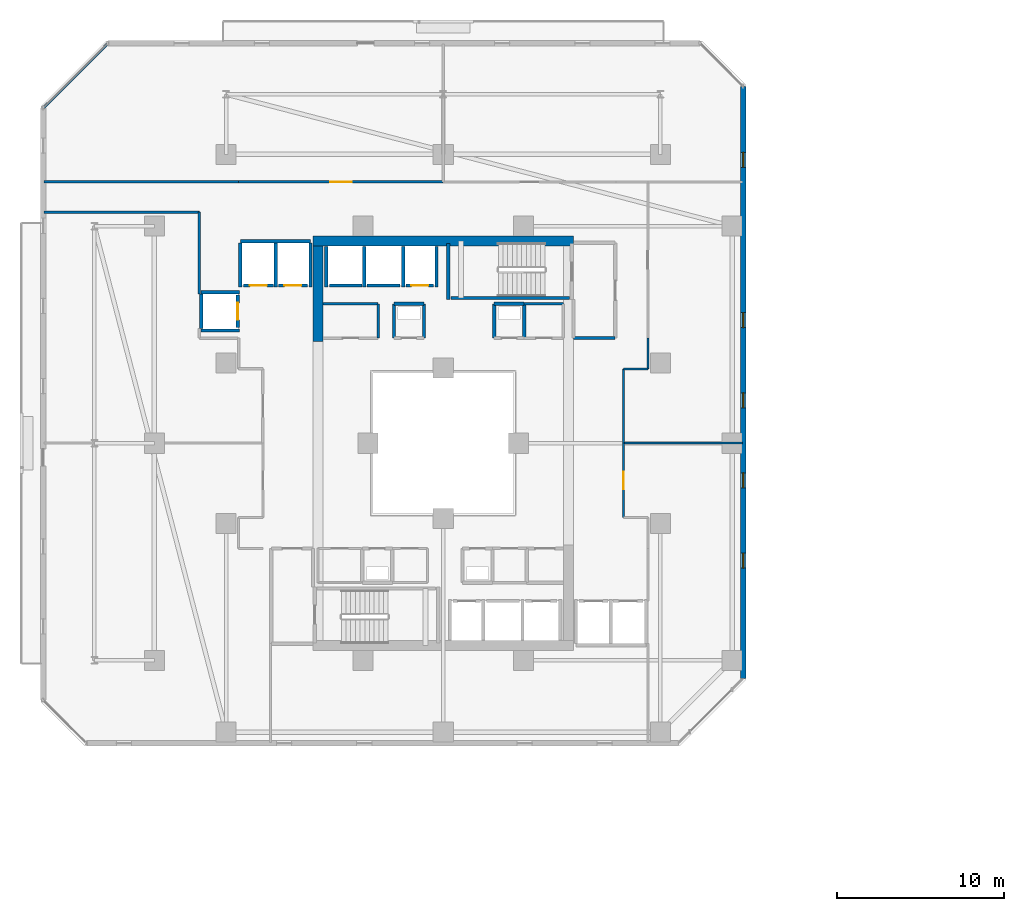
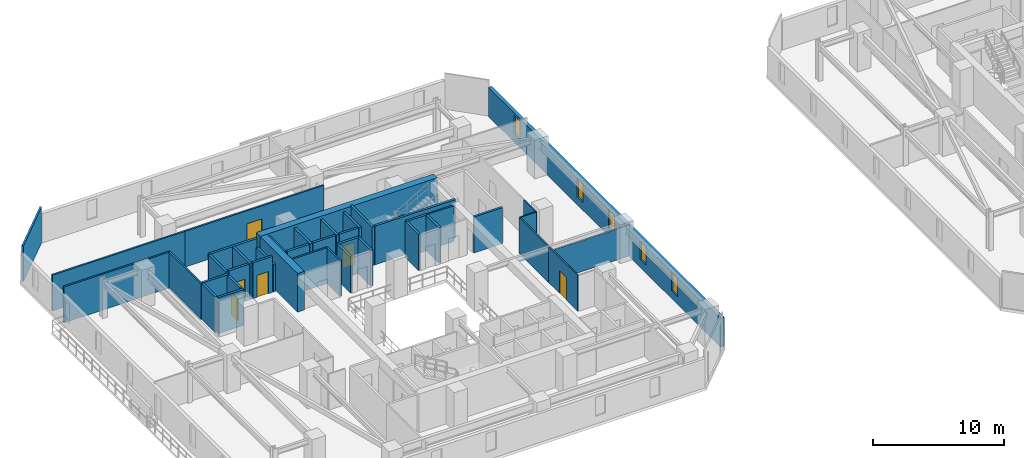
# One storey, part 21 of 33: 42 walls, 6 doors, 5 windows, 11 openings.
"""IFC4 building model written with IfcOpenShell, lengths in metres."""

from ifc_helpers import new_model, si_unit, direction, frame, frame_2d, origin, place, context, subcontext, project, spatial, rectangle, extrude, material, layer, layer_set, type_object, element, fill, save


model = new_model("IFC4")

# Units and contexts
model_context = context("Model", 3, precision=1e-05, world=origin(), true_north=direction((0.0, 1.0)))
body_context = subcontext(model_context, "Body", "Model", "MODEL_VIEW")
ifc_project = project(units=[si_unit("LENGTHUNIT", "METRE"), si_unit("AREAUNIT", "SQUARE_METRE"), si_unit("VOLUMEUNIT", "CUBIC_METRE"), si_unit("PLANEANGLEUNIT", "RADIAN"), si_unit("MASSUNIT", "GRAM", prefix="KILO")], contexts=[model_context])

# Site, building, storey
site_placement = place(None, origin())
site = spatial("IfcSite", under=ifc_project, at=site_placement, CompositionType="ELEMENT")
building_placement = place(site_placement, origin())
building = spatial("IfcBuilding", under=site, at=building_placement, Name="Thornwick Lancets Civic Towers", CompositionType="ELEMENT")
storey_placement = place(building_placement, frame((0.0, 0.0, 101.699951171875)))
storey = spatial("IfcBuildingStorey", under=building, at=storey_placement, Name="L26", CompositionType="ELEMENT", Elevation=101.699951171875)

# Wall, opening, door
ifc_material_1 = material(Name="Concrete blockwork C40/50", Category="masonry")
ifc_layer_1 = layer(ifc_material_1, 0.199951171875, Name="Concrete blockwork C40/50")
ifc_layer_set_1 = layer_set([ifc_layer_1], Name="Concrete blockwork C40/50")
wall_type_1 = type_object("IfcWallType", Name="WALL_COMP_200", PredefinedType="STANDARD", material=ifc_layer_set_1)
wall_1_placement = place(storey_placement, frame((24.919921875, 36.449951171875, 0.0), z_axis=(0.0, 0.0, 1.0), x_axis=(-1.0, 0.0, 0.0)))
wall_1 = element("IfcWall", 1, at=wall_1_placement, inside=storey, type_object=wall_type_1, Name="L26 Hoistway Front Wall FL-A2", PredefinedType="STANDARD", context=body_context, shape_type="SweptSolid", body=[
    extrude(rectangle(XDim=1.639892578125, YDim=0.199951171875, at=frame_2d((0.81982421875, 0.0))), origin(), (0.0, 0.0, 1.0), 3.340087890625),
])
opening_1_placement = place(wall_1_placement, frame((0.31005859375, 0.0, 0.0)))
opening_1 = element("IfcOpeningElement", 2, at=opening_1_placement, cuts=wall_1, Name="Opening LD-FL-A2", PredefinedType="OPENING", context=body_context, shape_type="SweptSolid", body=[
    extrude(rectangle(XDim=1.02001953125, YDim=2.06005859375, at=frame_2d((0.510009765625, 1.030029296875))), frame((0.0, 0.10986328125, 0.0), z_axis=(0.0, -1.0, 0.0), x_axis=(1.0, 0.0, 0.0)), (0.0, 0.0, 1.0), 0.219970703125),
])
ifc_material_2 = material(Name="Brushed bronze stainless steel", Category="steel")
door_type_1 = type_object("IfcDoorType", Name="DOOR_LIFT_SLIDE", OperationType="SLIDING_TO_LEFT", PredefinedType="DOOR", material=ifc_material_2)
door_1_placement = place(opening_1_placement, origin())
door_1 = element("IfcDoor", 3, at=door_1_placement, inside=storey, type_object=door_type_1, Name="L26 Sliding Lift Landing Door LD-FL-A2", OperationType="SLIDING_TO_LEFT", OverallHeight=2.06005859375, OverallWidth=1.02001953125, PredefinedType="DOOR", context=body_context, shape_type="SweptSolid", body=[
    extrude(rectangle(XDim=1.02001953125, YDim=2.06005859375, at=frame_2d((0.510009765625, 1.030029296875))), frame((0.0, 0.02490234375, 0.0), z_axis=(0.0, -1.0, 0.0), x_axis=(1.0, 0.0, 0.0)), (0.0, 0.0, 1.0), 0.050048828125),
])
fill(opening_1, door_1)

# Walls
wall_2_placement = place(storey_placement, frame((22.919921875, 36.449951171875, 0.0), z_axis=(0.0, 0.0, 1.0), x_axis=(-1.0, 0.0, 0.0)))
element("IfcWall", 4, at=wall_2_placement, inside=storey, type_object=wall_type_1, Name="L26 Hoistway Front Wall PL-AH2", PredefinedType="STANDARD", context=body_context, shape_type="SweptSolid", body=[
    extrude(rectangle(XDim=1.989990234375, YDim=0.199951171875, at=frame_2d((0.9951171875, 0.0))), origin(), (0.0, 0.0, 1.0), 3.340087890625),
])
wall_3_placement = place(storey_placement, frame((20.6201171875, 36.449951171875, 0.0), z_axis=(0.0, 0.0, 1.0), x_axis=(-1.0, 0.0, 0.0)))
element("IfcWall", 5, at=wall_3_placement, inside=storey, type_object=wall_type_1, Name="L26 Hoistway Front Wall PL-AH3", PredefinedType="STANDARD", context=body_context, shape_type="SweptSolid", body=[
    extrude(rectangle(XDim=1.940185546875, YDim=0.199951171875, at=frame_2d((0.97021484375, 0.0))), origin(), (0.0, 0.0, 1.0), 3.340087890625),
])

# Wall, opening, door
wall_4_placement = place(storey_placement, frame((17.3701171875, 36.449951171875, 0.0), z_axis=(0.0, 0.0, 1.0), x_axis=(-1.0, 0.0, 0.0)))
wall_4 = element("IfcWall", 6, at=wall_4_placement, inside=storey, type_object=wall_type_1, Name="L26 Hoistway Front Wall PL-AM1", PredefinedType="STANDARD", context=body_context, shape_type="SweptSolid", body=[
    extrude(rectangle(XDim=1.740234375, YDim=0.199951171875, at=frame_2d((0.8701171875, 0.0))), origin(), (0.0, 0.0, 1.0), 3.340087890625),
])
opening_2_placement = place(wall_4_placement, frame((0.360107421875, 0.0, 0.0)))
opening_2 = element("IfcOpeningElement", 7, at=opening_2_placement, cuts=wall_4, Name="Opening LD-PL-AM1", PredefinedType="OPENING", context=body_context, shape_type="SweptSolid", body=[
    extrude(rectangle(XDim=1.02001953125, YDim=2.06005859375, at=frame_2d((0.510009765625, 1.030029296875))), frame((0.0, 0.10986328125, 0.0), z_axis=(0.0, -1.0, 0.0), x_axis=(1.0, 0.0, 0.0)), (0.0, 0.0, 1.0), 0.219970703125),
])
door_2_placement = place(opening_2_placement, origin())
door_2 = element("IfcDoor", 8, at=door_2_placement, inside=storey, type_object=door_type_1, Name="L26 Sliding Lift Landing Door LD-PL-AM1", OperationType="SLIDING_TO_LEFT", OverallHeight=2.06005859375, OverallWidth=1.02001953125, PredefinedType="DOOR", context=body_context, shape_type="SweptSolid", body=[
    extrude(rectangle(XDim=1.02001953125, YDim=2.06005859375, at=frame_2d((0.510009765625, 1.030029296875))), frame((0.0, 0.02490234375, 0.0), z_axis=(0.0, -1.0, 0.0), x_axis=(1.0, 0.0, 0.0)), (0.0, 0.0, 1.0), 0.050048828125),
])
fill(opening_2, door_2)

wall_5_placement = place(storey_placement, frame((15.320068359375, 36.449951171875, 0.0), z_axis=(0.0, 0.0, 1.0), x_axis=(-1.0, 0.0, 0.0)))
wall_5 = element("IfcWall", 9, at=wall_5_placement, inside=storey, type_object=wall_type_1, Name="L26 Hoistway Front Wall PL-AM2", PredefinedType="STANDARD", context=body_context, shape_type="SweptSolid", body=[
    extrude(rectangle(XDim=1.7900390625, YDim=0.199951171875, at=frame_2d((0.89501953125, 0.0))), origin(), (0.0, 0.0, 1.0), 3.340087890625),
])
opening_3_placement = place(wall_5_placement, frame((0.385009765625, 0.0, 0.0)))
opening_3 = element("IfcOpeningElement", 10, at=opening_3_placement, cuts=wall_5, Name="Opening LD-PL-AM2", PredefinedType="OPENING", context=body_context, shape_type="SweptSolid", body=[
    extrude(rectangle(XDim=1.02001953125, YDim=2.06005859375, at=frame_2d((0.510009765625, 1.030029296875))), frame((0.0, 0.10986328125, 0.0), z_axis=(0.0, -1.0, 0.0), x_axis=(1.0, 0.0, 0.0)), (0.0, 0.0, 1.0), 0.219970703125),
])
door_3_placement = place(opening_3_placement, origin())
door_3 = element("IfcDoor", 11, at=door_3_placement, inside=storey, type_object=door_type_1, Name="L26 Sliding Lift Landing Door LD-PL-AM2", OperationType="SLIDING_TO_LEFT", OverallHeight=2.06005859375, OverallWidth=1.02001953125, PredefinedType="DOOR", context=body_context, shape_type="SweptSolid", body=[
    extrude(rectangle(XDim=1.02001953125, YDim=2.06005859375, at=frame_2d((0.510009765625, 1.030029296875))), frame((0.0, 0.02490234375, 0.0), z_axis=(0.0, -1.0, 0.0), x_axis=(1.0, 0.0, 0.0)), (0.0, 0.0, 1.0), 0.050048828125),
])
fill(opening_3, door_3)

wall_6_placement = place(storey_placement, frame((13.199951171875, 33.929931640625, 0.0), z_axis=(0.0, 0.0, 1.0), x_axis=(0.0, 1.0, 0.0)))
wall_6 = element("IfcWall", 12, at=wall_6_placement, inside=storey, type_object=wall_type_1, Name="L26 Hoistway Front Wall PL-AM3", PredefinedType="STANDARD", context=body_context, shape_type="SweptSolid", body=[
    extrude(rectangle(XDim=1.940185546875, YDim=0.199951171875, at=frame_2d((0.97021484375, 0.0))), origin(), (0.0, 0.0, 1.0), 3.340087890625),
])
opening_4_placement = place(wall_6_placement, frame((0.4599609375, 0.0, 0.0)))
opening_4 = element("IfcOpeningElement", 13, at=opening_4_placement, cuts=wall_6, Name="Opening LD-PL-AM3", PredefinedType="OPENING", context=body_context, shape_type="SweptSolid", body=[
    extrude(rectangle(XDim=1.02001953125, YDim=2.06005859375, at=frame_2d((0.510009765625, 1.030029296875))), frame((0.0, 0.10986328125, 0.0), z_axis=(0.0, -1.0, 0.0), x_axis=(1.0, 0.0, 0.0)), (0.0, 0.0, 1.0), 0.219970703125),
])
door_4_placement = place(opening_4_placement, origin())
door_4 = element("IfcDoor", 14, at=door_4_placement, inside=storey, type_object=door_type_1, Name="L26 Sliding Lift Landing Door LD-PL-AM3", OperationType="SLIDING_TO_LEFT", OverallHeight=2.06005859375, OverallWidth=1.02001953125, PredefinedType="DOOR", context=body_context, shape_type="SweptSolid", body=[
    extrude(rectangle(XDim=1.02001953125, YDim=2.06005859375, at=frame_2d((0.510009765625, 1.030029296875))), frame((0.0, 0.02490234375, 0.0), z_axis=(0.0, -1.0, 0.0), x_axis=(1.0, 0.0, 0.0)), (0.0, 0.0, 1.0), 0.050048828125),
])
fill(opening_4, door_4)

# Walls
for number, where, z_axis, x_axis, name in (
    (15, (25.10009765625, 36.35205078125, 0.0), (0.0, 0.0, 1.0), (0.0, 1.0, 0.0), "L26 Hoistway Shaft Wall FL-A2 E"),
    (16, (23.10009765625, 36.35205078125, 0.0), (0.0, 0.0, 1.0), (0.0, 1.0, 0.0), "L26 Hoistway Shaft Wall FL-A2 W"),
    (17, (20.77490234375, 36.35205078125, 0.0), (0.0, 0.0, 1.0), (0.0, 1.0, 0.0), "L26 Hoistway Shaft Wall PL-AH2 W"),
    (18, (18.5, 36.35205078125, 0.0), (0.0, 0.0, 1.0), (0.0, 1.0, 0.0), "L26 Hoistway Shaft Wall PL-AH3 W"),
):
    element("IfcWall", number, at=place(storey_placement, frame(where, z_axis=z_axis, x_axis=x_axis)), inside=storey, type_object=wall_type_1, Name=name, PredefinedType="STANDARD", context=body_context, shape_type="SweptSolid", body=[
        extrude(rectangle(XDim=2.43603515625, YDim=0.199951171875, at=frame_2d((1.218017578125, 0.0))), origin(), (0.0, 0.0, 1.0), 3.340087890625),
    ])
wall_7_placement = place(storey_placement, frame((13.35205078125, 39.10009765625, 0.0), z_axis=(0.0, 0.0, 1.0), x_axis=(1.0, 0.0, 0.0)))
element("IfcWall", 19, at=wall_7_placement, inside=storey, type_object=wall_type_1, Name="L26 Hoistway Shaft Wall PL-AM1 N", PredefinedType="STANDARD", context=body_context, shape_type="SweptSolid", body=[
    extrude(rectangle(XDim=4.196044921875, YDim=0.199951171875, at=frame_2d((2.09814453125, 0.0))), origin(), (0.0, 0.0, 1.0), 3.340087890625),
])
wall_8_placement = place(storey_placement, frame((17.550048828125, 36.35205078125, 0.0), z_axis=(0.0, 0.0, 1.0), x_axis=(0.0, 1.0, 0.0)))
element("IfcWall", 20, at=wall_8_placement, inside=storey, type_object=wall_type_1, Name="L26 Hoistway Shaft Wall PL-AM1 E", PredefinedType="STANDARD", context=body_context, shape_type="SweptSolid", body=[
    extrude(rectangle(XDim=2.635986328125, YDim=0.199951171875, at=frame_2d((1.31787109375, 0.0))), origin(), (0.0, 0.0, 1.0), 2.545166015625),
])
for number, where, z_axis, x_axis, name in (
    (21, (15.47509765625, 36.35205078125, 0.0), (0.0, 0.0, 1.0), (0.0, 1.0, 0.0), "L26 Hoistway Shaft Wall PL-AM1 W"),
    (22, (13.35009765625, 36.35205078125, 0.0), (0.0, 0.0, 1.0), (0.0, 1.0, 0.0), "L26 Hoistway Shaft Wall PL-AM2 W"),
):
    element("IfcWall", number, at=place(storey_placement, frame(where, z_axis=z_axis, x_axis=x_axis)), inside=storey, type_object=wall_type_1, Name=name, PredefinedType="STANDARD", context=body_context, shape_type="SweptSolid", body=[
        extrude(rectangle(XDim=2.635986328125, YDim=0.199951171875, at=frame_2d((1.31787109375, 0.0))), origin(), (0.0, 0.0, 1.0), 3.340087890625),
    ])
for number, where, z_axis, x_axis, name in (
    (23, (11.001953125, 36.050048828125, 0.0), (0.0, 0.0, 1.0), (1.0, 0.0, 0.0), "L26 Hoistway Shaft Wall PL-AM3 N"),
    (24, (11.001953125, 33.75, 0.0), (0.0, 0.0, 1.0), (1.0, 0.0, 0.0), "L26 Hoistway Shaft Wall PL-AM3 S"),
):
    element("IfcWall", number, at=place(storey_placement, frame(where, z_axis=z_axis, x_axis=x_axis)), inside=storey, type_object=wall_type_1, Name=name, PredefinedType="STANDARD", context=body_context, shape_type="SweptSolid", body=[
        extrude(rectangle(XDim=2.296142578125, YDim=0.199951171875, at=frame_2d((1.14794921875, 0.0))), origin(), (0.0, 0.0, 1.0), 3.340087890625),
    ])
wall_9_placement = place(storey_placement, frame((11.0, 33.862060546875, 0.0), z_axis=(0.0, 0.0, 1.0), x_axis=(0.0, 1.0, 0.0)))
element("IfcWall", 25, at=wall_9_placement, inside=storey, type_object=wall_type_1, Name="L26 Hoistway Shaft Wall PL-AM3 W", PredefinedType="STANDARD", context=body_context, shape_type="SweptSolid", body=[
    extrude(rectangle(XDim=2.075927734375, YDim=0.199951171875, at=frame_2d((1.0380859375, 0.0))), origin(), (0.0, 0.0, 1.0), 3.340087890625),
])
wall_10_placement = place(storey_placement, frame((33.300048828125, 33.300048828125, 0.0), z_axis=(0.0, 0.0, 1.0), x_axis=(1.0, 0.0, 0.0)))
element("IfcWall", 26, at=wall_10_placement, inside=storey, type_object=wall_type_1, Name="L26 Partition L26-A-FFLOB2 E1", PredefinedType="STANDARD", context=body_context, shape_type="SweptSolid", body=[
    extrude(rectangle(XDim=2.5, YDim=0.199951171875, at=frame_2d((1.25, 0.0))), origin(), (0.0, 0.0, 1.0), 3.340087890625),
])
wall_11_placement = place(storey_placement, frame((24.35009765625, 33.300048828125, 0.0), z_axis=(0.0, 0.0, 1.0), x_axis=(0.0, 1.0, 0.0)))
element("IfcWall", 27, at=wall_11_placement, inside=storey, type_object=wall_type_1, Name="L26 Partition L26-A-DUCT2 E2", PredefinedType="STANDARD", context=body_context, shape_type="SweptSolid", body=[
    extrude(rectangle(XDim=2.050048828125, YDim=0.199951171875, at=frame_2d((1.02490234375, 0.0))), origin(), (0.0, 0.0, 1.0), 3.340087890625),
])
wall_12_placement = place(storey_placement, frame((24.35009765625, 35.35009765625, 0.0), z_axis=(0.0, 0.0, 1.0), x_axis=(-1.0, 0.0, 0.0)))
element("IfcWall", 28, at=wall_12_placement, inside=storey, type_object=wall_type_1, Name="L26 Partition L26-A-DUCT2 E3", PredefinedType="STANDARD", context=body_context, shape_type="SweptSolid", body=[
    extrude(rectangle(XDim=1.800048828125, YDim=0.199951171875, at=frame_2d((0.89990234375, 0.0))), origin(), (0.0, 0.0, 1.0), 3.340087890625),
])
for number, where, z_axis, x_axis, name in (
    (29, (22.550048828125, 35.35009765625, 0.0), (0.0, 0.0, 1.0), (0.0, -1.0, 0.0), "L26 Partition L26-A-DUCT2 E4"),
    (30, (30.35009765625, 33.300048828125, 0.0), (0.0, 0.0, 1.0), (0.0, 1.0, 0.0), "L26 Partition L26-A-RISER2 E2"),
):
    element("IfcWall", number, at=place(storey_placement, frame(where, z_axis=z_axis, x_axis=x_axis)), inside=storey, type_object=wall_type_1, Name=name, PredefinedType="STANDARD", context=body_context, shape_type="SweptSolid", body=[
        extrude(rectangle(XDim=2.050048828125, YDim=0.199951171875, at=frame_2d((1.02490234375, 0.0))), origin(), (0.0, 0.0, 1.0), 3.340087890625),
    ])
wall_13_placement = place(storey_placement, frame((30.35009765625, 35.35009765625, 0.0), z_axis=(0.0, 0.0, 1.0), x_axis=(-1.0, 0.0, 0.0)))
element("IfcWall", 31, at=wall_13_placement, inside=storey, type_object=wall_type_1, Name="L26 Partition L26-A-RISER2 E3", PredefinedType="STANDARD", context=body_context, shape_type="SweptSolid", body=[
    extrude(rectangle(XDim=1.800048828125, YDim=0.199951171875, at=frame_2d((0.89990234375, 0.0))), origin(), (0.0, 0.0, 1.0), 3.340087890625),
])
wall_14_placement = place(storey_placement, frame((28.550048828125, 35.35009765625, 0.0), z_axis=(0.0, 0.0, 1.0), x_axis=(0.0, -1.0, 0.0)))
element("IfcWall", 32, at=wall_14_placement, inside=storey, type_object=wall_type_1, Name="L26 Partition L26-A-RISER2 E4", PredefinedType="STANDARD", context=body_context, shape_type="SweptSolid", body=[
    extrude(rectangle(XDim=2.050048828125, YDim=0.199951171875, at=frame_2d((1.02490234375, 0.0))), origin(), (0.0, 0.0, 1.0), 3.340087890625),
])
ifc_material_3 = material(Name="Concrete C60/75", Category="concrete")
ifc_layer_2 = layer(ifc_material_3, 0.60009765625, Name="Concrete C60/75")
ifc_layer_set_2 = layer_set([ifc_layer_2], Name="Concrete C60/75")
wall_type_2 = type_object("IfcWallType", Name="WALL_CORE_600", PredefinedType="SHEAR", material=ifc_layer_set_2)
wall_15_placement = place(storey_placement, frame((17.699951171875, 39.10009765625, 0.0), z_axis=(0.0, 0.0, 1.0), x_axis=(1.0, 0.0, 0.0)))
element("IfcWall", 33, at=wall_15_placement, inside=storey, type_object=wall_type_2, Name="L26 Split Core A2 Shear Wall N", PredefinedType="SHEAR", context=body_context, shape_type="SweptSolid", body=[
    extrude(rectangle(XDim=15.60009765625, YDim=0.60009765625, at=frame_2d((7.800048828125, 0.0))), origin(), (0.0, 0.0, 1.0), 3.60009765625),
])
wall_16_placement = place(storey_placement, frame((18.0, 33.10009765625, 0.0), z_axis=(0.0, 0.0, 1.0), x_axis=(0.0, 1.0, 0.0)))
element("IfcWall", 34, at=wall_16_placement, inside=storey, type_object=wall_type_2, Name="L26 Split Core A2 Shear Wall W", PredefinedType="SHEAR", context=body_context, shape_type="SweptSolid", body=[
    extrude(rectangle(XDim=5.699951171875, YDim=0.60009765625, at=frame_2d((2.85009765625, 0.0))), origin(), (0.0, 0.0, 1.0), 3.60009765625),
])

# Wall, openings, windows
ifc_material_4 = material(Name="Insulated buff terracotta rainscreen on concrete C40/50", Category="masonry")
ifc_layer_3 = layer(ifc_material_4, 0.320068359375, Name="Insulated buff terracotta rainscreen on concrete C40/50")
ifc_layer_set_3 = layer_set([ifc_layer_3], Name="Insulated buff terracotta rainscreen on concrete C40/50")
wall_type_3 = type_object("IfcWallType", Name="WALL_EXT_TERRA_320", PredefinedType="STANDARD", material=ifc_layer_set_3)
wall_17_placement = place(storey_placement, frame((43.46044921875, 12.922607421875, 0.0), z_axis=(0.0, 0.0, 1.0), x_axis=(0.00011704845, 0.99999999315, 0.0)))
wall_17 = element("IfcWall", 35, at=wall_17_placement, inside=storey, type_object=wall_type_3, Name="L26 Tower A Terracotta Facade Wall E2", PredefinedType="STANDARD", context=body_context, shape_type="SweptSolid", body=[
    extrude(rectangle(XDim=35.458740234375, YDim=0.320068359375, at=frame_2d((17.7294921875, 0.0))), origin(), (0.0, 0.0, 1.0), 2.699951171875),
])
opening_5_placement = place(wall_17_placement, frame((6.60009765625, 0.0, 0.719970703125)))
opening_5 = element("IfcOpeningElement", 36, at=opening_5_placement, cuts=wall_17, Name="Opening WL-01", PredefinedType="OPENING", context=body_context, shape_type="SweptSolid", body=[
    extrude(rectangle(XDim=0.89990234375, YDim=1.75, at=frame_2d((0.449951171875, 0.875))), frame((0.0, 0.169921875, 0.0), z_axis=(0.0, -1.0, 0.0), x_axis=(1.0, 0.0, 0.0)), (0.0, 0.0, 1.0), 0.340087890625),
])
opening_6_placement = place(wall_17_placement, frame((11.39990234375, 0.0, 0.719970703125)))
opening_6 = element("IfcOpeningElement", 37, at=opening_6_placement, cuts=wall_17, Name="Opening WL-01", PredefinedType="OPENING", context=body_context, shape_type="SweptSolid", body=[
    extrude(rectangle(XDim=0.89990234375, YDim=1.75, at=frame_2d((0.449951171875, 0.875))), frame((0.0, 0.169921875, 0.0), z_axis=(0.0, -1.0, 0.0), x_axis=(1.0, 0.0, 0.0)), (0.0, 0.0, 1.0), 0.340087890625),
])
opening_7_placement = place(wall_17_placement, frame((16.199951171875, 0.0, 0.719970703125)))
opening_7 = element("IfcOpeningElement", 38, at=opening_7_placement, cuts=wall_17, Name="Opening WL-01", PredefinedType="OPENING", context=body_context, shape_type="SweptSolid", body=[
    extrude(rectangle(XDim=0.89990234375, YDim=1.75, at=frame_2d((0.449951171875, 0.875))), frame((0.0, 0.169921875, 0.0), z_axis=(0.0, -1.0, 0.0), x_axis=(1.0, 0.0, 0.0)), (0.0, 0.0, 1.0), 0.340087890625),
])
opening_8_placement = place(wall_17_placement, frame((21.0, 0.0, 0.719970703125)))
opening_8 = element("IfcOpeningElement", 39, at=opening_8_placement, cuts=wall_17, Name="Opening WL-01", PredefinedType="OPENING", context=body_context, shape_type="SweptSolid", body=[
    extrude(rectangle(XDim=0.89990234375, YDim=1.75, at=frame_2d((0.449951171875, 0.875))), frame((0.0, 0.169921875, 0.0), z_axis=(0.0, -1.0, 0.0), x_axis=(1.0, 0.0, 0.0)), (0.0, 0.0, 1.0), 0.340087890625),
])
opening_9_placement = place(wall_17_placement, frame((30.60009765625, 0.0, 0.719970703125)))
opening_9 = element("IfcOpeningElement", 40, at=opening_9_placement, cuts=wall_17, Name="Opening WL-01", PredefinedType="OPENING", context=body_context, shape_type="SweptSolid", body=[
    extrude(rectangle(XDim=0.89990234375, YDim=1.75, at=frame_2d((0.449951171875, 0.875))), frame((0.0, 0.169921875, 0.0), z_axis=(0.0, -1.0, 0.0), x_axis=(1.0, 0.0, 0.0)), (0.0, 0.0, 1.0), 0.340087890625),
])
ifc_material_5 = material(Name="Clear low-e double glazing in bronze frame", Category="glass")
window_type = type_object("IfcWindowType", Name="WIN_LANCET_900", PartitioningType="SINGLE_PANEL", PredefinedType="WINDOW", material=ifc_material_5)
window_1_placement = place(opening_5_placement, origin())
window_1 = element("IfcWindow", 41, at=window_1_placement, inside=storey, type_object=window_type, Name="L26 Tower A Staggered Lancet Window E2-1", OverallHeight=1.75, OverallWidth=0.89990234375, PartitioningType="SINGLE_PANEL", PredefinedType="WINDOW", context=body_context, shape_type="SweptSolid", body=[
    extrude(rectangle(XDim=0.89990234375, YDim=1.75, at=frame_2d((0.449951171875, 0.875))), frame((0.0, 0.030029296875, 0.0), z_axis=(0.0, -1.0, 0.0), x_axis=(1.0, 0.0, 0.0)), (0.0, 0.0, 1.0), 0.06005859375),
])
fill(opening_5, window_1)
window_2_placement = place(opening_6_placement, origin())
window_2 = element("IfcWindow", 42, at=window_2_placement, inside=storey, type_object=window_type, Name="L26 Tower A Staggered Lancet Window E2-2", OverallHeight=1.75, OverallWidth=0.89990234375, PartitioningType="SINGLE_PANEL", PredefinedType="WINDOW", context=body_context, shape_type="SweptSolid", body=[
    extrude(rectangle(XDim=0.89990234375, YDim=1.75, at=frame_2d((0.449951171875, 0.875))), frame((0.0, 0.030029296875, 0.0), z_axis=(0.0, -1.0, 0.0), x_axis=(1.0, 0.0, 0.0)), (0.0, 0.0, 1.0), 0.06005859375),
])
fill(opening_6, window_2)
window_3_placement = place(opening_7_placement, origin())
window_3 = element("IfcWindow", 43, at=window_3_placement, inside=storey, type_object=window_type, Name="L26 Tower A Staggered Lancet Window E2-3", OverallHeight=1.75, OverallWidth=0.89990234375, PartitioningType="SINGLE_PANEL", PredefinedType="WINDOW", context=body_context, shape_type="SweptSolid", body=[
    extrude(rectangle(XDim=0.89990234375, YDim=1.75, at=frame_2d((0.449951171875, 0.875))), frame((0.0, 0.030029296875, 0.0), z_axis=(0.0, -1.0, 0.0), x_axis=(1.0, 0.0, 0.0)), (0.0, 0.0, 1.0), 0.06005859375),
])
fill(opening_7, window_3)
window_4_placement = place(opening_8_placement, origin())
window_4 = element("IfcWindow", 44, at=window_4_placement, inside=storey, type_object=window_type, Name="L26 Tower A Staggered Lancet Window E2-4", OverallHeight=1.75, OverallWidth=0.89990234375, PartitioningType="SINGLE_PANEL", PredefinedType="WINDOW", context=body_context, shape_type="SweptSolid", body=[
    extrude(rectangle(XDim=0.89990234375, YDim=1.75, at=frame_2d((0.449951171875, 0.875))), frame((0.0, 0.030029296875, 0.0), z_axis=(0.0, -1.0, 0.0), x_axis=(1.0, 0.0, 0.0)), (0.0, 0.0, 1.0), 0.06005859375),
])
fill(opening_8, window_4)
window_5_placement = place(opening_9_placement, origin())
window_5 = element("IfcWindow", 45, at=window_5_placement, inside=storey, type_object=window_type, Name="L26 Tower A Staggered Lancet Window E2-5", OverallHeight=1.75, OverallWidth=0.89990234375, PartitioningType="SINGLE_PANEL", PredefinedType="WINDOW", context=body_context, shape_type="SweptSolid", body=[
    extrude(rectangle(XDim=0.89990234375, YDim=1.75, at=frame_2d((0.449951171875, 0.875))), frame((0.0, 0.030029296875, 0.0), z_axis=(0.0, -1.0, 0.0), x_axis=(1.0, 0.0, 0.0)), (0.0, 0.0, 1.0), 0.06005859375),
])
fill(opening_9, window_5)

# Wall, opening, door
ifc_material_6 = material(Name="Acoustic gypsum board partition")
ifc_layer_4 = layer(ifc_material_6, 0.1201171875, Name="Acoustic gypsum board partition")
ifc_layer_set_4 = layer_set([ifc_layer_4], Name="Acoustic gypsum board partition")
wall_type_4 = type_object("IfcWallType", Name="WALL_PART_120", PredefinedType="PARTITIONING", material=ifc_layer_set_4)
wall_18_placement = place(storey_placement, frame((36.300048828125, 22.550048828125, 0.0), z_axis=(0.0, 0.0, 1.0), x_axis=(0.0, 1.0, 0.0)))
wall_18 = element("IfcWall", 46, at=wall_18_placement, inside=storey, type_object=wall_type_4, Name="L26 Partition L26-A-E1 E4", PredefinedType="PARTITIONING", context=body_context, shape_type="SweptSolid", body=[
    extrude(rectangle(XDim=4.449951171875, YDim=0.1201171875, at=frame_2d((2.22509765625, 0.0))), origin(), (0.0, 0.0, 1.0), 3.340087890625),
])
opening_10_placement = place(wall_18_placement, frame((1.699951171875, 0.0, 0.0)))
opening_10 = element("IfcOpeningElement", 47, at=opening_10_placement, cuts=wall_18, Name="Opening D-L26-1219", PredefinedType="OPENING", context=body_context, shape_type="SweptSolid", body=[
    extrude(rectangle(XDim=1.050048828125, YDim=2.10009765625, at=frame_2d((0.52490234375, 1.050048828125))), frame((0.0, 0.070068359375, 0.0), z_axis=(0.0, -1.0, 0.0), x_axis=(1.0, 0.0, 0.0)), (0.0, 0.0, 1.0), 0.14013671875),
])
ifc_material_7 = material(Name="Glazed European oak executive doorset")
door_type_2 = type_object("IfcDoorType", Name="DOOR_OFFICE_1050", OperationType="NOTDEFINED", PredefinedType="DOOR", material=ifc_material_7)
door_5_placement = place(opening_10_placement, origin())
door_5 = element("IfcDoor", 48, at=door_5_placement, inside=storey, type_object=door_type_2, Name="L26 Tower A Secretariat Open Office E1 Door", OperationType="SINGLE_SWING_RIGHT", OverallHeight=2.10009765625, OverallWidth=1.050048828125, PredefinedType="DOOR", context=body_context, shape_type="SweptSolid", body=[
    extrude(rectangle(XDim=1.050048828125, YDim=2.10009765625, at=frame_2d((0.52490234375, 1.050048828125))), frame((0.0, 0.02490234375, 0.0), z_axis=(0.0, -1.0, 0.0), x_axis=(1.0, 0.0, 0.0)), (0.0, 0.0, 1.0), 0.050048828125),
])
fill(opening_10, door_5)

# Walls
wall_19_placement = place(storey_placement, frame((36.300048828125, 27.0, 0.0), z_axis=(0.0, 0.0, 1.0), x_axis=(1.0, 0.0, 0.0)))
element("IfcWall", 49, at=wall_19_placement, inside=storey, type_object=wall_type_4, Name="L26 Partition L26-A-E1 E5", PredefinedType="PARTITIONING", context=body_context, shape_type="SweptSolid", body=[
    extrude(rectangle(XDim=7.119873046875, YDim=0.1201171875, at=frame_2d((3.56005859375, 0.0))), origin(), (0.0, 0.0, 1.0), 2.8779296875),
])
wall_20_placement = place(storey_placement, frame((36.300048828125, 31.449951171875, 0.0), z_axis=(0.0, 0.0, 1.0), x_axis=(1.0, 0.0, 0.0)))
element("IfcWall", 50, at=wall_20_placement, inside=storey, type_object=wall_type_4, Name="L26 Partition L26-A-E2 E1", PredefinedType="PARTITIONING", context=body_context, shape_type="SweptSolid", body=[
    extrude(rectangle(XDim=1.449951171875, YDim=0.1201171875, at=frame_2d((0.72509765625, 0.0))), origin(), (0.0, 0.0, 1.0), 3.340087890625),
])
wall_21_placement = place(storey_placement, frame((37.75, 31.449951171875, 0.0), z_axis=(0.0, 0.0, 1.0), x_axis=(0.0, 1.0, 0.0)))
element("IfcWall", 51, at=wall_21_placement, inside=storey, type_object=wall_type_4, Name="L26 Partition L26-A-E2 E2", PredefinedType="PARTITIONING", context=body_context, shape_type="SweptSolid", body=[
    extrude(rectangle(XDim=1.85009765625, YDim=0.1201171875, at=frame_2d((0.925048828125, 0.0))), origin(), (0.0, 0.0, 1.0), 3.340087890625),
])
wall_22_placement = place(storey_placement, frame((36.300048828125, 27.0, 0.0), z_axis=(0.0, 0.0, 1.0), x_axis=(0.0, 1.0, 0.0)))
element("IfcWall", 52, at=wall_22_placement, inside=storey, type_object=wall_type_4, Name="L26 Partition L26-A-E2 E7", PredefinedType="PARTITIONING", context=body_context, shape_type="SweptSolid", body=[
    extrude(rectangle(XDim=4.449951171875, YDim=0.1201171875, at=frame_2d((2.22509765625, 0.0))), origin(), (0.0, 0.0, 1.0), 3.340087890625),
])
ifc_material_8 = material(Name="Twin-stud acoustic gypsum board")
ifc_layer_5 = layer(ifc_material_8, 0.14990234375, Name="Twin-stud acoustic gypsum board")
ifc_layer_set_5 = layer_set([ifc_layer_5], Name="Twin-stud acoustic gypsum board")
wall_type_5 = type_object("IfcWallType", Name="WALL_PART_150", PredefinedType="PARTITIONING", material=ifc_layer_set_5)
wall_23_placement = place(storey_placement, frame((21.60009765625, 33.300048828125, 0.0), z_axis=(0.0, 0.0, 1.0), x_axis=(0.0, 1.0, 0.0)))
element("IfcWall", 53, at=wall_23_placement, inside=storey, type_object=wall_type_5, Name="L26 Partition L26-A-MWC E2", PredefinedType="PARTITIONING", context=body_context, shape_type="SweptSolid", body=[
    extrude(rectangle(XDim=2.050048828125, YDim=0.14990234375, at=frame_2d((1.02490234375, 0.0))), origin(), (0.0, 0.0, 1.0), 3.340087890625),
])
wall_24_placement = place(storey_placement, frame((21.60009765625, 35.35009765625, 0.0), z_axis=(0.0, 0.0, 1.0), x_axis=(-1.0, 0.0, 0.0)))
element("IfcWall", 54, at=wall_24_placement, inside=storey, type_object=wall_type_5, Name="L26 Partition L26-A-MWC E3", PredefinedType="PARTITIONING", context=body_context, shape_type="SweptSolid", body=[
    extrude(rectangle(XDim=3.300048828125, YDim=0.14990234375, at=frame_2d((1.64990234375, 0.0))), origin(), (0.0, 0.0, 1.0), 3.340087890625),
])
wall_25_placement = place(storey_placement, frame((30.35009765625, 35.35009765625, 0.0), z_axis=(0.0, 0.0, 1.0), x_axis=(1.0, 0.0, 0.0)))
element("IfcWall", 55, at=wall_25_placement, inside=storey, type_object=wall_type_5, Name="L26 Partition L26-A-FWC E4", PredefinedType="PARTITIONING", context=body_context, shape_type="SweptSolid", body=[
    extrude(rectangle(XDim=2.349853515625, YDim=0.14990234375, at=frame_2d((1.1748046875, 0.0))), origin(), (0.0, 0.0, 1.0), 3.340087890625),
])
wall_26_placement = place(storey_placement, frame((10.89990234375, 40.85009765625, 0.0), z_axis=(0.0, 0.0, 1.0), x_axis=(0.0, -1.0, 0.0)))
element("IfcWall", 56, at=wall_26_placement, inside=storey, type_object=wall_type_5, Name="L26 Partition L26-A-W2 E1", PredefinedType="PARTITIONING", context=body_context, shape_type="SweptSolid", body=[
    extrude(rectangle(XDim=4.912109375, YDim=0.14990234375, at=frame_2d((2.4560546875, 0.0))), origin(), (0.0, 0.0, 1.0), 3.340087890625),
])
wall_27_placement = place(storey_placement, frame((1.580078125, 40.85009765625, 0.0), z_axis=(0.0, 0.0, 1.0), x_axis=(1.0, 0.0, 0.0)))
element("IfcWall", 57, at=wall_27_placement, inside=storey, type_object=wall_type_5, Name="L26 Partition L26-A-W2 E9", PredefinedType="PARTITIONING", context=body_context, shape_type="SweptSolid", body=[
    extrude(rectangle(XDim=9.31982421875, YDim=0.14990234375, at=frame_2d((4.659912109375, 0.0))), origin(), (0.0, 0.0, 1.0), 3.340087890625),
])
wall_28_placement = place(storey_placement, frame((13.25, 42.64990234375, 0.0), z_axis=(0.0, 0.0, 1.0), x_axis=(-1.0, 0.0, 0.0)))
element("IfcWall", 58, at=wall_28_placement, inside=storey, type_object=wall_type_5, Name="L26 Partition L26-A-N-CONF E1", PredefinedType="PARTITIONING", context=body_context, shape_type="SweptSolid", body=[
    extrude(rectangle(XDim=11.669921875, YDim=0.14990234375, at=frame_2d((5.8349609375, 0.0))), origin(), (0.0, 0.0, 1.0), 3.340087890625),
])
wall_29_placement = place(storey_placement, frame((1.580078125, 47.116455078125, 0.0), z_axis=(0.0, 0.0, 1.0), x_axis=(0.707106781187, 0.707106781187, 0.0)))
element("IfcWall", 59, at=wall_29_placement, inside=storey, type_object=wall_type_5, Name="L26 Partition L26-A-N-CONF E3", PredefinedType="PARTITIONING", context=body_context, shape_type="SweptSolid", body=[
    extrude(rectangle(XDim=5.37890625, YDim=0.14990234375, at=frame_2d((2.689453125, 0.0))), origin(), (0.0, 0.0, 1.0), 3.340087890625),
])

# Wall, opening, door
wall_30_placement = place(storey_placement, frame((25.5, 42.64990234375, 0.0), z_axis=(0.0, 0.0, 1.0), x_axis=(-1.0, 0.0, 0.0)))
wall_30 = element("IfcWall", 60, at=wall_30_placement, inside=storey, type_object=wall_type_5, Name="L26 Partition L26-A-N-CONF E6", PredefinedType="PARTITIONING", context=body_context, shape_type="SweptSolid", body=[
    extrude(rectangle(XDim=12.25, YDim=0.14990234375, at=frame_2d((6.125, 0.0))), origin(), (0.0, 0.0, 1.0), 3.340087890625),
])
opening_11_placement = place(wall_30_placement, frame((5.47509765625, 0.0, 0.0)))
opening_11 = element("IfcOpeningElement", 61, at=opening_11_placement, cuts=wall_30, Name="Opening D-L26-1221", PredefinedType="OPENING", context=body_context, shape_type="SweptSolid", body=[
    extrude(rectangle(XDim=1.300048828125, YDim=2.1201171875, at=frame_2d((0.64990234375, 1.06005859375))), frame((0.0, 0.0849609375, 0.0), z_axis=(0.0, -1.0, 0.0), x_axis=(1.0, 0.0, 0.0)), (0.0, 0.0, 1.0), 0.169921875),
])
ifc_material_9 = material(Name="Acoustic oak leaf-and-a-half doorset")
door_type_3 = type_object("IfcDoorType", Name="DOOR_MEET_1300", OperationType="DOUBLE_DOOR_SINGLE_SWING", PredefinedType="DOOR", material=ifc_material_9)
door_6_placement = place(opening_11_placement, origin())
door_6 = element("IfcDoor", 62, at=door_6_placement, inside=storey, type_object=door_type_3, Name="L26 Tower A North Conference Room Door", OperationType="DOUBLE_DOOR_SINGLE_SWING", OverallHeight=2.1201171875, OverallWidth=1.300048828125, PredefinedType="DOOR", context=body_context, shape_type="SweptSolid", body=[
    extrude(rectangle(XDim=1.300048828125, YDim=2.1201171875, at=frame_2d((0.64990234375, 1.06005859375))), frame((0.0, 0.02490234375, 0.0), z_axis=(0.0, -1.0, 0.0), x_axis=(1.0, 0.0, 0.0)), (0.0, 0.0, 1.0), 0.050048828125),
])
fill(opening_11, door_6)

# Walls
ifc_material_10 = material(Name="Concrete C40/50", Category="concrete")
ifc_layer_6 = layer(ifc_material_10, 0.199951171875, Name="Concrete C40/50")
ifc_layer_set_6 = layer_set([ifc_layer_6], Name="Concrete C40/50")
wall_type_6 = type_object("IfcWallType", Name="WALL_SHAFT_200", PredefinedType="SHEAR", material=ifc_layer_set_6)
wall_31_placement = place(storey_placement, frame((25.800048828125, 35.60009765625, 0.0), z_axis=(0.0, 0.0, 1.0), x_axis=(0.0, 1.0, 0.0)))
element("IfcWall", 63, at=wall_31_placement, inside=storey, type_object=wall_type_6, Name="L26 ST-A2 Fire Stair Core Wall FAR", PredefinedType="SHEAR", context=body_context, shape_type="SweptSolid", body=[
    extrude(rectangle(XDim=3.349853515625, YDim=0.199951171875, at=frame_2d((1.6748046875, 0.0))), origin(), (0.0, 0.0, 1.0), 3.60009765625),
])
wall_32_placement = place(storey_placement, frame((25.949951171875, 35.702880859375, 0.0), z_axis=(0.0, 0.0, 1.0), x_axis=(1.0, 0.0, 0.0)))
element("IfcWall", 64, at=wall_32_placement, inside=storey, type_object=wall_type_6, Name="L26 ST-A2 Fire Stair Core Wall RIGHT", PredefinedType="SHEAR", context=body_context, shape_type="SweptSolid", body=[
    extrude(rectangle(XDim=7.10009765625, YDim=0.199951171875, at=frame_2d((3.550048828125, 0.0))), origin(), (0.0, 0.0, 1.0), 3.60009765625),
])

save(model, "model.ifc")
